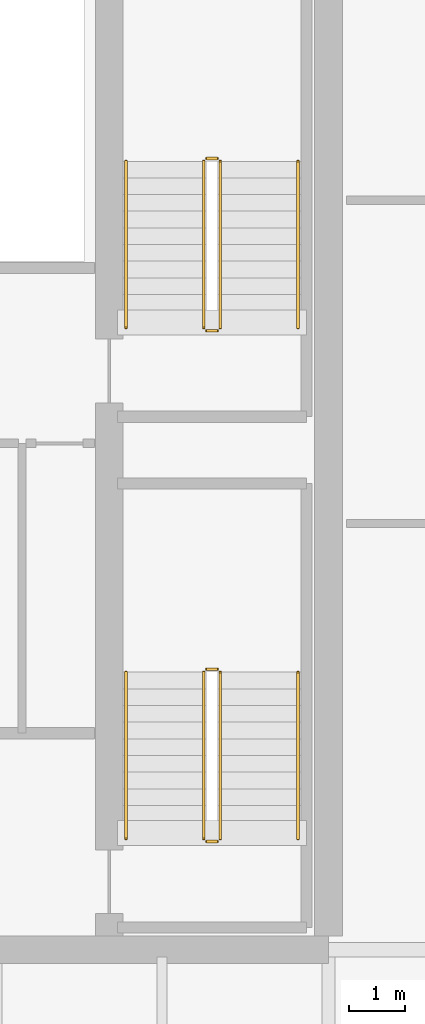
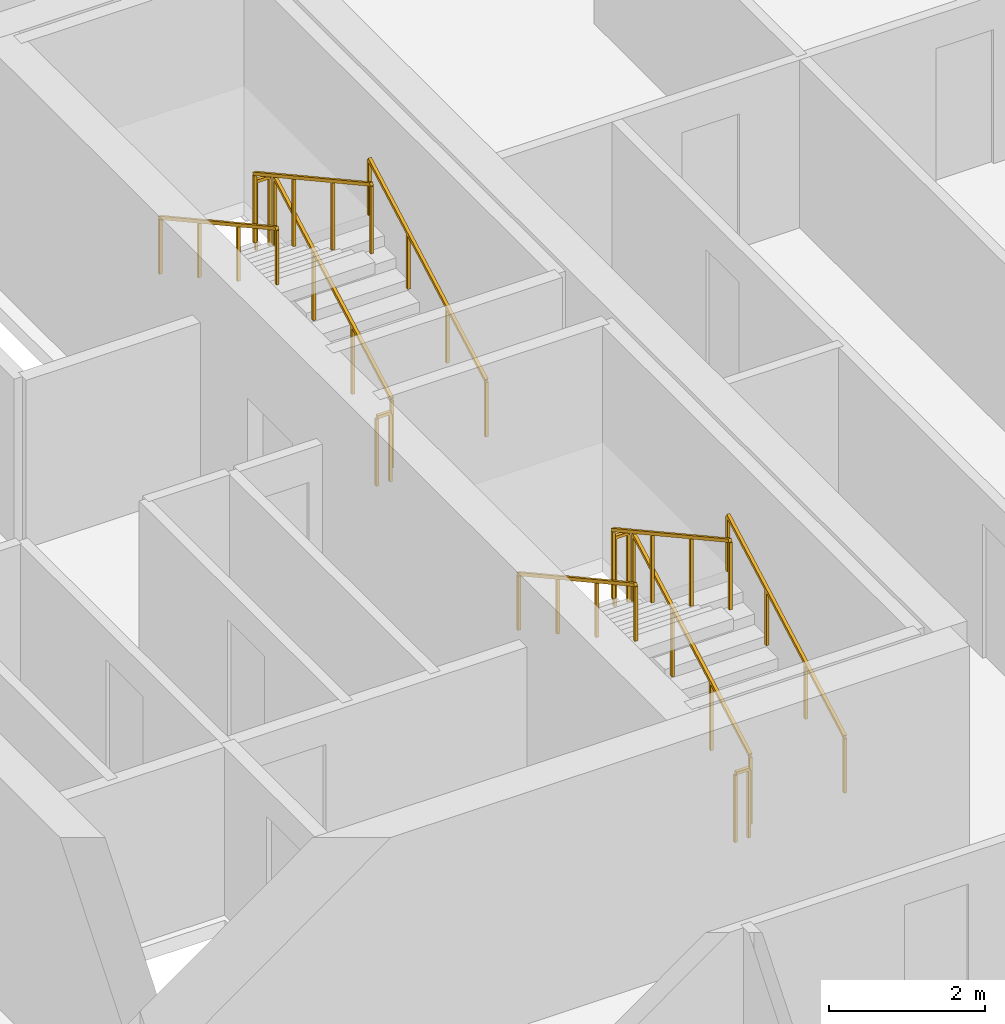
# One storey, part 38 of 39: 12 railings.
"""IFC4 building model written with IfcOpenShell, lengths in metres."""

from ifc_helpers import new_model, si_unit, direction, frame, origin, place, context, subcontext, project, spatial, rectangle, extrude, material, type_object, element, save


model = new_model("IFC4")

# Units and contexts
model_context = context("Model", 3, precision=1e-05, world=origin(), true_north=direction((0.0, 1.0)))
body_context = subcontext(model_context, "Body", "Model", "MODEL_VIEW")
ifc_project = project(units=[si_unit("LENGTHUNIT", "METRE"), si_unit("AREAUNIT", "SQUARE_METRE"), si_unit("VOLUMEUNIT", "CUBIC_METRE"), si_unit("PLANEANGLEUNIT", "RADIAN"), si_unit("MASSUNIT", "GRAM", prefix="KILO")], contexts=[model_context])

# Site, building, storey
site_placement = place(None, origin())
site = spatial("IfcSite", under=ifc_project, at=site_placement, CompositionType="ELEMENT")
building_placement = place(site_placement, origin())
building = spatial("IfcBuilding", under=site, at=building_placement, Name="Tanjung Sevakor Pilgrim Tower", CompositionType="ELEMENT")
storey_placement = place(building_placement, frame((0.0, 0.0, 108.570068359375)))
storey = spatial("IfcBuildingStorey", under=building, at=storey_placement, Name="L30", CompositionType="ELEMENT", Elevation=108.570068359375)

# Railings
ifc_material_1 = material(Name="Steel S355J2", Category="steel")
railing_type_1 = type_object("IfcRailingType", Name="RL-STAIR-GUARD", PredefinedType="GUARDRAIL", material=ifc_material_1)
railing_1_placement = place(storey_placement, frame((88.050048828125, 26.60009765625, 0.1650390625)))
element("IfcRailing", 1, at=railing_1_placement, inside=storey, type_object=railing_type_1, Name="L30 TS-E1 stair guard 1", PredefinedType="GUARDRAIL", context=body_context, shape_type="SweptSolid", body=[
    extrude(rectangle(XDim=0.0479, YDim=0.0479), frame((0.0, 0.0, 1.076171875), z_axis=(0.0, 0.876227952683, 0.48189685093), x_axis=(-1.0, 0.0, 0.0)), (0.0, 0.0, 1.0), 3.423828125),
    extrude(rectangle(XDim=0.042, YDim=0.042), origin(), (0.0, 0.0, 1.0), 1.052001953125),
    extrude(rectangle(XDim=0.042, YDim=0.042), frame((0.0, 1.0, 0.550048828125)), (0.0, 0.0, 1.0), 1.052001953125),
    extrude(rectangle(XDim=0.042, YDim=0.042), frame((0.0, 2.0, 1.099853515625)), (0.0, 0.0, 1.0), 1.052001953125),
    extrude(rectangle(XDim=0.042, YDim=0.042), frame((0.0, 3.0, 1.64990234375)), (0.0, 0.0, 1.0), 1.052001953125),
])
railing_2_placement = place(storey_placement, frame((88.0, 29.64990234375, 1.81494140625)))
element("IfcRailing", 2, at=railing_2_placement, inside=storey, type_object=railing_type_1, Name="L30 TS-E1 stair guard 2", PredefinedType="GUARDRAIL", context=body_context, shape_type="SweptSolid", body=[
    extrude(rectangle(XDim=0.0479, YDim=0.0479), frame((0.0, 0.0, 1.076171875), z_axis=(-1.0, 0.0, 0.0), x_axis=(0.0, -1.0, 0.0)), (0.0, 0.0, 1.0), 0.199951171875),
    extrude(rectangle(XDim=0.042, YDim=0.042), origin(), (0.0, 0.0, 1.0), 1.052001953125),
    extrude(rectangle(XDim=0.042, YDim=0.042), frame((-0.199951171875, 0.0, 0.0)), (0.0, 0.0, 1.0), 1.052001953125),
])
railing_3_placement = place(storey_placement, frame((87.75, 29.60009765625, 1.97998046875)))
element("IfcRailing", 3, at=railing_3_placement, inside=storey, type_object=railing_type_1, Name="L30 TS-E1 stair guard 3", PredefinedType="GUARDRAIL", context=body_context, shape_type="SweptSolid", body=[
    extrude(rectangle(XDim=0.0479, YDim=0.0479), frame((0.0, 0.0, 1.076171875), z_axis=(0.0, -0.876227952683, 0.48189685093), x_axis=(1.0, 0.0, 0.0)), (0.0, 0.0, 1.0), 3.423828125),
    extrude(rectangle(XDim=0.042, YDim=0.042), origin(), (0.0, 0.0, 1.0), 1.052001953125),
    extrude(rectangle(XDim=0.042, YDim=0.042), frame((0.0, -1.0, 0.550048828125)), (0.0, 0.0, 1.0), 1.052001953125),
    extrude(rectangle(XDim=0.042, YDim=0.042), frame((0.0, -2.0, 1.099853515625)), (0.0, 0.0, 1.0), 1.052001953125),
    extrude(rectangle(XDim=0.042, YDim=0.042), frame((0.0, -3.0, 1.64990234375)), (0.0, 0.0, 1.0), 1.052001953125),
])
railing_4_placement = place(storey_placement, frame((88.0, 26.550048828125, 0.0)))
element("IfcRailing", 4, at=railing_4_placement, inside=storey, type_object=railing_type_1, Name="L30 TS-E1 stair guard 4", PredefinedType="GUARDRAIL", context=body_context, shape_type="SweptSolid", body=[
    extrude(rectangle(XDim=0.0479, YDim=0.0479), frame((0.0, 0.0, 1.076171875), z_axis=(-1.0, 0.0, 0.0), x_axis=(0.0, -1.0, 0.0)), (0.0, 0.0, 1.0), 0.199951171875),
    extrude(rectangle(XDim=0.042, YDim=0.042), origin(), (0.0, 0.0, 1.0), 1.052001953125),
    extrude(rectangle(XDim=0.042, YDim=0.042), frame((-0.199951171875, 0.0, 0.0)), (0.0, 0.0, 1.0), 1.052001953125),
])
railing_5_placement = place(storey_placement, frame((88.050048828125, 35.800048828125, 0.1650390625)))
element("IfcRailing", 5, at=railing_5_placement, inside=storey, type_object=railing_type_1, Name="L30 TS-E2 stair guard 1", PredefinedType="GUARDRAIL", context=body_context, shape_type="SweptSolid", body=[
    extrude(rectangle(XDim=0.0479, YDim=0.0479), frame((0.0, 0.0, 1.076171875), z_axis=(0.0, 0.876227952683, 0.48189685093), x_axis=(-1.0, 0.0, 0.0)), (0.0, 0.0, 1.0), 3.423828125),
    extrude(rectangle(XDim=0.042, YDim=0.042), origin(), (0.0, 0.0, 1.0), 1.052001953125),
    extrude(rectangle(XDim=0.042, YDim=0.042), frame((0.0, 1.0, 0.550048828125)), (0.0, 0.0, 1.0), 1.052001953125),
    extrude(rectangle(XDim=0.042, YDim=0.042), frame((0.0, 2.0, 1.099853515625)), (0.0, 0.0, 1.0), 1.052001953125),
    extrude(rectangle(XDim=0.042, YDim=0.042), frame((0.0, 3.0, 1.64990234375)), (0.0, 0.0, 1.0), 1.052001953125),
])
railing_6_placement = place(storey_placement, frame((88.0, 38.85009765625, 1.81494140625)))
element("IfcRailing", 6, at=railing_6_placement, inside=storey, type_object=railing_type_1, Name="L30 TS-E2 stair guard 2", PredefinedType="GUARDRAIL", context=body_context, shape_type="SweptSolid", body=[
    extrude(rectangle(XDim=0.0479, YDim=0.0479), frame((0.0, 0.0, 1.076171875), z_axis=(-1.0, 0.0, 0.0), x_axis=(0.0, -1.0, 0.0)), (0.0, 0.0, 1.0), 0.199951171875),
    extrude(rectangle(XDim=0.042, YDim=0.042), origin(), (0.0, 0.0, 1.0), 1.052001953125),
    extrude(rectangle(XDim=0.042, YDim=0.042), frame((-0.199951171875, 0.0, 0.0)), (0.0, 0.0, 1.0), 1.052001953125),
])
railing_7_placement = place(storey_placement, frame((87.75, 38.800048828125, 1.97998046875)))
element("IfcRailing", 7, at=railing_7_placement, inside=storey, type_object=railing_type_1, Name="L30 TS-E2 stair guard 3", PredefinedType="GUARDRAIL", context=body_context, shape_type="SweptSolid", body=[
    extrude(rectangle(XDim=0.0479, YDim=0.0479), frame((0.0, 0.0, 1.076171875), z_axis=(0.0, -0.876227952683, 0.48189685093), x_axis=(1.0, 0.0, 0.0)), (0.0, 0.0, 1.0), 3.423828125),
    extrude(rectangle(XDim=0.042, YDim=0.042), origin(), (0.0, 0.0, 1.0), 1.052001953125),
    extrude(rectangle(XDim=0.042, YDim=0.042), frame((0.0, -1.0, 0.550048828125)), (0.0, 0.0, 1.0), 1.052001953125),
    extrude(rectangle(XDim=0.042, YDim=0.042), frame((0.0, -2.0, 1.099853515625)), (0.0, 0.0, 1.0), 1.052001953125),
    extrude(rectangle(XDim=0.042, YDim=0.042), frame((0.0, -3.0, 1.64990234375)), (0.0, 0.0, 1.0), 1.052001953125),
])
railing_8_placement = place(storey_placement, frame((88.0, 35.75, 0.0)))
element("IfcRailing", 8, at=railing_8_placement, inside=storey, type_object=railing_type_1, Name="L30 TS-E2 stair guard 4", PredefinedType="GUARDRAIL", context=body_context, shape_type="SweptSolid", body=[
    extrude(rectangle(XDim=0.0479, YDim=0.0479), frame((0.0, 0.0, 1.076171875), z_axis=(-1.0, 0.0, 0.0), x_axis=(0.0, -1.0, 0.0)), (0.0, 0.0, 1.0), 0.199951171875),
    extrude(rectangle(XDim=0.042, YDim=0.042), origin(), (0.0, 0.0, 1.0), 1.052001953125),
    extrude(rectangle(XDim=0.042, YDim=0.042), frame((-0.199951171875, 0.0, 0.0)), (0.0, 0.0, 1.0), 1.052001953125),
])
ifc_material_2 = material(Name="Steel S355J2", Category="steel")
railing_type_2 = type_object("IfcRailingType", Name="RL-STAIR-HAND", PredefinedType="HANDRAIL", material=ifc_material_2)
railing_9_placement = place(storey_placement, frame((89.449951171875, 26.60009765625, 0.1650390625)))
element("IfcRailing", 9, at=railing_9_placement, inside=storey, type_object=railing_type_2, Name="L30 TS-E1 stair handrail 1", PredefinedType="HANDRAIL", context=body_context, shape_type="SweptSolid", body=[
    extrude(rectangle(XDim=0.0479, YDim=0.0479), frame((0.0, 0.0, 0.8759765625), z_axis=(0.0, 0.876227952683, 0.48189685093), x_axis=(-1.0, 0.0, 0.0)), (0.0, 0.0, 1.0), 3.423828125),
    extrude(rectangle(XDim=0.042, YDim=0.042), origin(), (0.0, 0.0, 1.0), 0.851806640625),
    extrude(rectangle(XDim=0.042, YDim=0.042), frame((0.0, 1.0, 0.550048828125)), (0.0, 0.0, 1.0), 0.851806640625),
    extrude(rectangle(XDim=0.042, YDim=0.042), frame((0.0, 2.0, 1.099853515625)), (0.0, 0.0, 1.0), 0.851806640625),
    extrude(rectangle(XDim=0.042, YDim=0.042), frame((0.0, 3.0, 1.64990234375)), (0.0, 0.0, 1.0), 0.851806640625),
])
railing_10_placement = place(storey_placement, frame((86.35009765625, 29.60009765625, 1.97998046875)))
element("IfcRailing", 10, at=railing_10_placement, inside=storey, type_object=railing_type_2, Name="L30 TS-E1 stair handrail 2", PredefinedType="HANDRAIL", context=body_context, shape_type="SweptSolid", body=[
    extrude(rectangle(XDim=0.0479, YDim=0.0479), frame((0.0, 0.0, 0.8759765625), z_axis=(0.0, -0.876227952683, 0.48189685093), x_axis=(1.0, 0.0, 0.0)), (0.0, 0.0, 1.0), 3.423828125),
    extrude(rectangle(XDim=0.042, YDim=0.042), origin(), (0.0, 0.0, 1.0), 0.851806640625),
    extrude(rectangle(XDim=0.042, YDim=0.042), frame((0.0, -1.0, 0.550048828125)), (0.0, 0.0, 1.0), 0.851806640625),
    extrude(rectangle(XDim=0.042, YDim=0.042), frame((0.0, -2.0, 1.099853515625)), (0.0, 0.0, 1.0), 0.851806640625),
    extrude(rectangle(XDim=0.042, YDim=0.042), frame((0.0, -3.0, 1.64990234375)), (0.0, 0.0, 1.0), 0.851806640625),
])
railing_11_placement = place(storey_placement, frame((89.449951171875, 35.800048828125, 0.1650390625)))
element("IfcRailing", 11, at=railing_11_placement, inside=storey, type_object=railing_type_2, Name="L30 TS-E2 stair handrail 1", PredefinedType="HANDRAIL", context=body_context, shape_type="SweptSolid", body=[
    extrude(rectangle(XDim=0.0479, YDim=0.0479), frame((0.0, 0.0, 0.8759765625), z_axis=(0.0, 0.876227952683, 0.48189685093), x_axis=(-1.0, 0.0, 0.0)), (0.0, 0.0, 1.0), 3.423828125),
    extrude(rectangle(XDim=0.042, YDim=0.042), origin(), (0.0, 0.0, 1.0), 0.851806640625),
    extrude(rectangle(XDim=0.042, YDim=0.042), frame((0.0, 1.0, 0.550048828125)), (0.0, 0.0, 1.0), 0.851806640625),
    extrude(rectangle(XDim=0.042, YDim=0.042), frame((0.0, 2.0, 1.099853515625)), (0.0, 0.0, 1.0), 0.851806640625),
    extrude(rectangle(XDim=0.042, YDim=0.042), frame((0.0, 3.0, 1.64990234375)), (0.0, 0.0, 1.0), 0.851806640625),
])
railing_12_placement = place(storey_placement, frame((86.35009765625, 38.800048828125, 1.97998046875)))
element("IfcRailing", 12, at=railing_12_placement, inside=storey, type_object=railing_type_2, Name="L30 TS-E2 stair handrail 2", PredefinedType="HANDRAIL", context=body_context, shape_type="SweptSolid", body=[
    extrude(rectangle(XDim=0.0479, YDim=0.0479), frame((0.0, 0.0, 0.8759765625), z_axis=(0.0, -0.876227952683, 0.48189685093), x_axis=(1.0, 0.0, 0.0)), (0.0, 0.0, 1.0), 3.423828125),
    extrude(rectangle(XDim=0.042, YDim=0.042), origin(), (0.0, 0.0, 1.0), 0.851806640625),
    extrude(rectangle(XDim=0.042, YDim=0.042), frame((0.0, -1.0, 0.550048828125)), (0.0, 0.0, 1.0), 0.851806640625),
    extrude(rectangle(XDim=0.042, YDim=0.042), frame((0.0, -2.0, 1.099853515625)), (0.0, 0.0, 1.0), 0.851806640625),
    extrude(rectangle(XDim=0.042, YDim=0.042), frame((0.0, -3.0, 1.64990234375)), (0.0, 0.0, 1.0), 0.851806640625),
])

save(model, "model.ifc")
